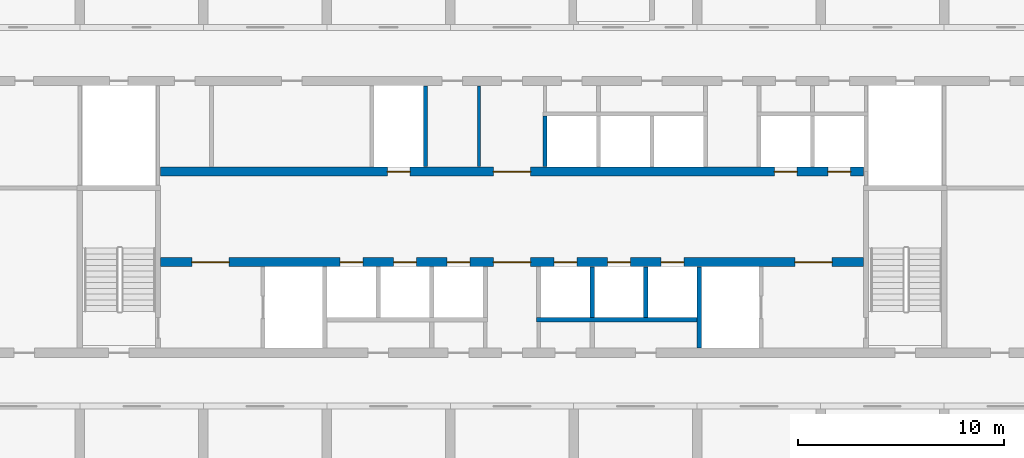
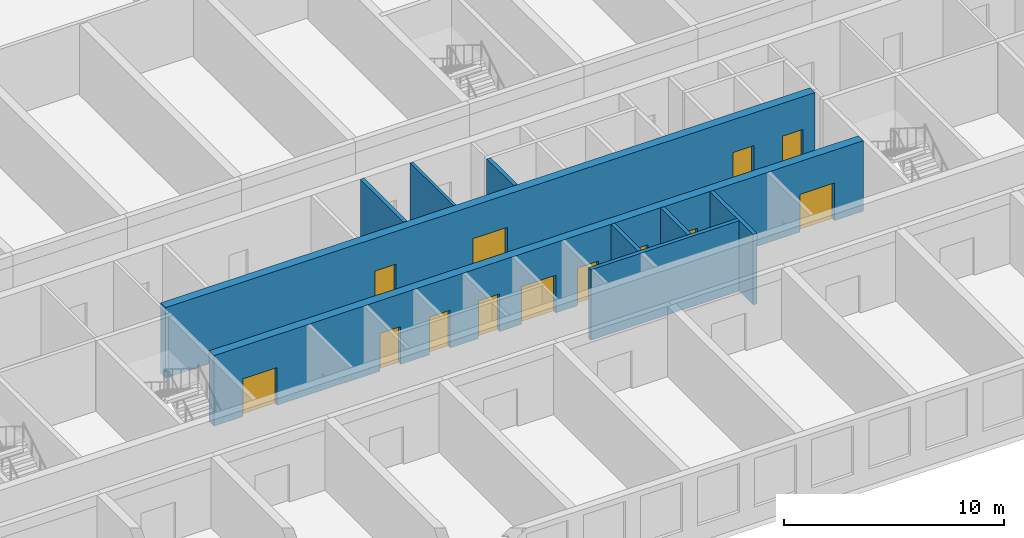
# One storey, part 6 of 16: 13 doors, 9 walls, 13 openings.
"""IFC4 building model written with IfcOpenShell, lengths in metres."""

from ifc_helpers import new_model, si_unit, direction, frame, frame_2d, origin, place, context, subcontext, project, spatial, rectangle, extrude, material, layer, layer_set, type_object, element, fill, save


model = new_model("IFC4")

# Units and contexts
model_context = context("Model", 3, precision=1e-05, world=origin(), true_north=direction((0.0, 1.0)))
body_context = subcontext(model_context, "Body", "Model", "MODEL_VIEW")
ifc_project = project(units=[si_unit("LENGTHUNIT", "METRE"), si_unit("AREAUNIT", "SQUARE_METRE"), si_unit("VOLUMEUNIT", "CUBIC_METRE"), si_unit("PLANEANGLEUNIT", "RADIAN"), si_unit("MASSUNIT", "GRAM", prefix="KILO")], contexts=[model_context])

# Site, building, storey
site_placement = place(None, origin())
site = spatial("IfcSite", under=ifc_project, at=site_placement, CompositionType="ELEMENT")
building_placement = place(site_placement, origin())
building = spatial("IfcBuilding", under=site, at=building_placement, Name="Poui Terraces", CompositionType="ELEMENT")
storey_placement = place(building_placement, frame((0.0, 0.0, 15.0)))
storey = spatial("IfcBuildingStorey", under=building, at=storey_placement, Name="L03", CompositionType="ELEMENT", Elevation=15.0)

# Wall, openings, doors
ifc_material_1 = material(Name="Concrete 80 MPa", Category="concrete")
ifc_layer_1 = layer(ifc_material_1, 0.449951171875)
ifc_layer_set_1 = layer_set([ifc_layer_1], Name="Concrete 80 MPa")
wall_type_1 = type_object("IfcWallType", Name="CORE WALL 450 80 MPA", PredefinedType="SOLIDWALL", material=ifc_layer_set_1)
wall_1_placement = place(storey_placement, frame((33.925048828125, 19.0, 0.0), z_axis=(0.0, 0.0, 1.0), x_axis=(1.0, 0.0, 0.0)))
wall_1 = element("IfcWall", 1, at=wall_1_placement, inside=storey, type_object=wall_type_1, Name="CORE WALL", PredefinedType="SOLIDWALL", context=body_context, shape_type="SweptSolid", body=[
    extrude(rectangle(XDim=34.14990234375, YDim=0.449951171875, at=frame_2d((17.074951171875, 0.0))), origin(), (0.0, 0.0, 1.0), 3.919921875),
])
opening_1_placement = place(wall_1_placement, frame((16.175048828125, 0.0, 0.0)))
opening_1 = element("IfcOpeningElement", 2, at=opening_1_placement, cuts=wall_1, Name="Opening FDD60", PredefinedType="OPENING", context=body_context, shape_type="SweptSolid", body=[
    extrude(rectangle(XDim=1.800048828125, YDim=2.10009765625, at=frame_2d((0.89990234375, 1.050048828125))), frame((0.0, 0.23486328125, 0.0), z_axis=(0.0, -1.0, 0.0), x_axis=(1.0, 0.0, 0.0)), (0.0, 0.0, 1.0), 0.469970703125),
])
opening_2_placement = place(wall_1_placement, frame((1.52490234375, 0.0, 0.0)))
opening_2 = element("IfcOpeningElement", 3, at=opening_2_placement, cuts=wall_1, Name="Opening FDD60", PredefinedType="OPENING", context=body_context, shape_type="SweptSolid", body=[
    extrude(rectangle(XDim=1.800048828125, YDim=2.10009765625, at=frame_2d((0.89990234375, 1.050048828125))), frame((0.0, 0.23486328125, 0.0), z_axis=(0.0, -1.0, 0.0), x_axis=(1.0, 0.0, 0.0)), (0.0, 0.0, 1.0), 0.469970703125),
])
opening_3_placement = place(wall_1_placement, frame((8.72509765625, 0.0, 0.0)))
opening_3 = element("IfcOpeningElement", 4, at=opening_3_placement, cuts=wall_1, Name="Opening LD", PredefinedType="OPENING", context=body_context, shape_type="SweptSolid", body=[
    extrude(rectangle(XDim=1.10009765625, YDim=2.10009765625, at=frame_2d((0.550048828125, 1.050048828125))), frame((0.0, 0.23486328125, 0.0), z_axis=(0.0, -1.0, 0.0), x_axis=(1.0, 0.0, 0.0)), (0.0, 0.0, 1.0), 0.469970703125),
])
opening_4_placement = place(wall_1_placement, frame((11.324951171875, 0.0, 0.0)))
opening_4 = element("IfcOpeningElement", 5, at=opening_4_placement, cuts=wall_1, Name="Opening LD", PredefinedType="OPENING", context=body_context, shape_type="SweptSolid", body=[
    extrude(rectangle(XDim=1.10009765625, YDim=2.10009765625, at=frame_2d((0.550048828125, 1.050048828125))), frame((0.0, 0.23486328125, 0.0), z_axis=(0.0, -1.0, 0.0), x_axis=(1.0, 0.0, 0.0)), (0.0, 0.0, 1.0), 0.469970703125),
])
opening_5_placement = place(wall_1_placement, frame((13.925048828125, 0.0, 0.0)))
opening_5 = element("IfcOpeningElement", 6, at=opening_5_placement, cuts=wall_1, Name="Opening LD", PredefinedType="OPENING", context=body_context, shape_type="SweptSolid", body=[
    extrude(rectangle(XDim=1.10009765625, YDim=2.10009765625, at=frame_2d((0.550048828125, 1.050048828125))), frame((0.0, 0.23486328125, 0.0), z_axis=(0.0, -1.0, 0.0), x_axis=(1.0, 0.0, 0.0)), (0.0, 0.0, 1.0), 0.469970703125),
])
opening_6_placement = place(wall_1_placement, frame((19.125, 0.0, 0.0)))
opening_6 = element("IfcOpeningElement", 7, at=opening_6_placement, cuts=wall_1, Name="Opening LD", PredefinedType="OPENING", context=body_context, shape_type="SweptSolid", body=[
    extrude(rectangle(XDim=1.10009765625, YDim=2.10009765625, at=frame_2d((0.550048828125, 1.050048828125))), frame((0.0, 0.23486328125, 0.0), z_axis=(0.0, -1.0, 0.0), x_axis=(1.0, 0.0, 0.0)), (0.0, 0.0, 1.0), 0.469970703125),
])
opening_7_placement = place(wall_1_placement, frame((21.72509765625, 0.0, 0.0)))
opening_7 = element("IfcOpeningElement", 8, at=opening_7_placement, cuts=wall_1, Name="Opening LD", PredefinedType="OPENING", context=body_context, shape_type="SweptSolid", body=[
    extrude(rectangle(XDim=1.10009765625, YDim=2.10009765625, at=frame_2d((0.550048828125, 1.050048828125))), frame((0.0, 0.23486328125, 0.0), z_axis=(0.0, -1.0, 0.0), x_axis=(1.0, 0.0, 0.0)), (0.0, 0.0, 1.0), 0.469970703125),
])
opening_8_placement = place(wall_1_placement, frame((24.324951171875, 0.0, 0.0)))
opening_8 = element("IfcOpeningElement", 9, at=opening_8_placement, cuts=wall_1, Name="Opening LD", PredefinedType="OPENING", context=body_context, shape_type="SweptSolid", body=[
    extrude(rectangle(XDim=1.10009765625, YDim=2.10009765625, at=frame_2d((0.550048828125, 1.050048828125))), frame((0.0, 0.23486328125, 0.0), z_axis=(0.0, -1.0, 0.0), x_axis=(1.0, 0.0, 0.0)), (0.0, 0.0, 1.0), 0.469970703125),
])
opening_9_placement = place(wall_1_placement, frame((30.824951171875, 0.0, 0.0)))
opening_9 = element("IfcOpeningElement", 10, at=opening_9_placement, cuts=wall_1, Name="Opening FDD60", PredefinedType="OPENING", context=body_context, shape_type="SweptSolid", body=[
    extrude(rectangle(XDim=1.800048828125, YDim=2.10009765625, at=frame_2d((0.89990234375, 1.050048828125))), frame((0.0, 0.23486328125, 0.0), z_axis=(0.0, -1.0, 0.0), x_axis=(1.0, 0.0, 0.0)), (0.0, 0.0, 1.0), 0.469970703125),
])
ifc_material_2 = material(Name="Steel fire door", Category="steel")
door_type_1 = type_object("IfcDoorType", Name="DOUBLE LOBBY FIRE DOOR 1800 X 2100", OperationType="DOUBLE_DOOR_SINGLE_SWING", PredefinedType="DOOR", material=ifc_material_2)
door_1_placement = place(opening_1_placement, frame((1.800048828125, 0.0, 0.0), z_axis=(0.0, 0.0, 1.0), x_axis=(-1.0, 0.0, 0.0)))
door_1 = element("IfcDoor", 11, at=door_1_placement, inside=storey, type_object=door_type_1, Name="DOUBLE LOBBY FIRE DOOR 090", OperationType="DOUBLE_DOOR_SINGLE_SWING", OverallHeight=2.10009765625, OverallWidth=1.800048828125, PredefinedType="DOOR", context=body_context, shape_type="SweptSolid", body=[
    extrude(rectangle(XDim=1.800048828125, YDim=2.10009765625, at=frame_2d((0.89990234375, 1.050048828125))), frame((0.0, 0.02490234375, 0.0), z_axis=(0.0, -1.0, 0.0), x_axis=(1.0, 0.0, 0.0)), (0.0, 0.0, 1.0), 0.050048828125),
])
fill(opening_1, door_1)
door_2_placement = place(opening_2_placement, origin())
door_2 = element("IfcDoor", 12, at=door_2_placement, inside=storey, type_object=door_type_1, Name="DOUBLE LOBBY FIRE DOOR 091", OperationType="DOUBLE_DOOR_SINGLE_SWING", OverallHeight=2.10009765625, OverallWidth=1.800048828125, PredefinedType="DOOR", context=body_context, shape_type="SweptSolid", body=[
    extrude(rectangle(XDim=1.800048828125, YDim=2.10009765625, at=frame_2d((0.89990234375, 1.050048828125))), frame((0.0, 0.02490234375, 0.0), z_axis=(0.0, -1.0, 0.0), x_axis=(1.0, 0.0, 0.0)), (0.0, 0.0, 1.0), 0.050048828125),
])
fill(opening_2, door_2)
door_3_placement = place(opening_9_placement, origin())
door_3 = element("IfcDoor", 13, at=door_3_placement, inside=storey, type_object=door_type_1, Name="DOUBLE LOBBY FIRE DOOR 100", OperationType="DOUBLE_DOOR_SINGLE_SWING", OverallHeight=2.10009765625, OverallWidth=1.800048828125, PredefinedType="DOOR", context=body_context, shape_type="SweptSolid", body=[
    extrude(rectangle(XDim=1.800048828125, YDim=2.10009765625, at=frame_2d((0.89990234375, 1.050048828125))), frame((0.0, 0.02490234375, 0.0), z_axis=(0.0, -1.0, 0.0), x_axis=(1.0, 0.0, 0.0)), (0.0, 0.0, 1.0), 0.050048828125),
])
fill(opening_9, door_3)
ifc_material_3 = material(Name="Stainless steel sliding door", Category="steel")
door_type_2 = type_object("IfcDoorType", Name="LIFT LANDING DOOR 1100 X 2100", OperationType="DOUBLE_DOOR_SLIDING", PredefinedType="DOOR", material=ifc_material_3)
door_4_placement = place(opening_3_placement, origin())
door_4 = element("IfcDoor", 14, at=door_4_placement, inside=storey, type_object=door_type_2, Name="LANDING DOOR", OperationType="DOUBLE_DOOR_SLIDING", OverallHeight=2.10009765625, OverallWidth=1.10009765625, PredefinedType="DOOR", context=body_context, shape_type="SweptSolid", body=[
    extrude(rectangle(XDim=1.10009765625, YDim=2.10009765625, at=frame_2d((0.550048828125, 1.050048828125))), frame((0.0, 0.02490234375, 0.0), z_axis=(0.0, -1.0, 0.0), x_axis=(1.0, 0.0, 0.0)), (0.0, 0.0, 1.0), 0.050048828125),
])
fill(opening_3, door_4)
door_5_placement = place(opening_4_placement, origin())
door_5 = element("IfcDoor", 15, at=door_5_placement, inside=storey, type_object=door_type_2, Name="LANDING DOOR", OperationType="DOUBLE_DOOR_SLIDING", OverallHeight=2.10009765625, OverallWidth=1.10009765625, PredefinedType="DOOR", context=body_context, shape_type="SweptSolid", body=[
    extrude(rectangle(XDim=1.10009765625, YDim=2.10009765625, at=frame_2d((0.550048828125, 1.050048828125))), frame((0.0, 0.02490234375, 0.0), z_axis=(0.0, -1.0, 0.0), x_axis=(1.0, 0.0, 0.0)), (0.0, 0.0, 1.0), 0.050048828125),
])
fill(opening_4, door_5)
door_6_placement = place(opening_5_placement, origin())
door_6 = element("IfcDoor", 16, at=door_6_placement, inside=storey, type_object=door_type_2, Name="LANDING DOOR", OperationType="DOUBLE_DOOR_SLIDING", OverallHeight=2.10009765625, OverallWidth=1.10009765625, PredefinedType="DOOR", context=body_context, shape_type="SweptSolid", body=[
    extrude(rectangle(XDim=1.10009765625, YDim=2.10009765625, at=frame_2d((0.550048828125, 1.050048828125))), frame((0.0, 0.02490234375, 0.0), z_axis=(0.0, -1.0, 0.0), x_axis=(1.0, 0.0, 0.0)), (0.0, 0.0, 1.0), 0.050048828125),
])
fill(opening_5, door_6)
door_7_placement = place(opening_6_placement, origin())
door_7 = element("IfcDoor", 17, at=door_7_placement, inside=storey, type_object=door_type_2, Name="LANDING DOOR", OperationType="DOUBLE_DOOR_SLIDING", OverallHeight=2.10009765625, OverallWidth=1.10009765625, PredefinedType="DOOR", context=body_context, shape_type="SweptSolid", body=[
    extrude(rectangle(XDim=1.10009765625, YDim=2.10009765625, at=frame_2d((0.550048828125, 1.050048828125))), frame((0.0, 0.02490234375, 0.0), z_axis=(0.0, -1.0, 0.0), x_axis=(1.0, 0.0, 0.0)), (0.0, 0.0, 1.0), 0.050048828125),
])
fill(opening_6, door_7)
door_8_placement = place(opening_7_placement, origin())
door_8 = element("IfcDoor", 18, at=door_8_placement, inside=storey, type_object=door_type_2, Name="LANDING DOOR", OperationType="DOUBLE_DOOR_SLIDING", OverallHeight=2.10009765625, OverallWidth=1.10009765625, PredefinedType="DOOR", context=body_context, shape_type="SweptSolid", body=[
    extrude(rectangle(XDim=1.10009765625, YDim=2.10009765625, at=frame_2d((0.550048828125, 1.050048828125))), frame((0.0, 0.02490234375, 0.0), z_axis=(0.0, -1.0, 0.0), x_axis=(1.0, 0.0, 0.0)), (0.0, 0.0, 1.0), 0.050048828125),
])
fill(opening_7, door_8)
door_9_placement = place(opening_8_placement, origin())
door_9 = element("IfcDoor", 19, at=door_9_placement, inside=storey, type_object=door_type_2, Name="LANDING DOOR", OperationType="DOUBLE_DOOR_SLIDING", OverallHeight=2.10009765625, OverallWidth=1.10009765625, PredefinedType="DOOR", context=body_context, shape_type="SweptSolid", body=[
    extrude(rectangle(XDim=1.10009765625, YDim=2.10009765625, at=frame_2d((0.550048828125, 1.050048828125))), frame((0.0, 0.02490234375, 0.0), z_axis=(0.0, -1.0, 0.0), x_axis=(1.0, 0.0, 0.0)), (0.0, 0.0, 1.0), 0.050048828125),
])
fill(opening_8, door_9)

wall_2_placement = place(storey_placement, frame((33.925048828125, 23.39990234375, 0.0), z_axis=(0.0, 0.0, 1.0), x_axis=(1.0, 0.0, 0.0)))
wall_2 = element("IfcWall", 20, at=wall_2_placement, inside=storey, type_object=wall_type_1, Name="CORE WALL", PredefinedType="SOLIDWALL", context=body_context, shape_type="SweptSolid", body=[
    extrude(rectangle(XDim=34.14990234375, YDim=0.449951171875, at=frame_2d((17.074951171875, 0.0))), origin(), (0.0, 0.0, 1.0), 3.919921875),
])
opening_10_placement = place(wall_2_placement, frame((16.175048828125, 0.0, 0.0)))
opening_10 = element("IfcOpeningElement", 21, at=opening_10_placement, cuts=wall_2, Name="Opening FDD60", PredefinedType="OPENING", context=body_context, shape_type="SweptSolid", body=[
    extrude(rectangle(XDim=1.800048828125, YDim=2.10009765625, at=frame_2d((0.89990234375, 1.050048828125))), frame((0.0, 0.23486328125, 0.0), z_axis=(0.0, -1.0, 0.0), x_axis=(1.0, 0.0, 0.0)), (0.0, 0.0, 1.0), 0.469970703125),
])
opening_11_placement = place(wall_2_placement, frame((11.02490234375, 0.0, 0.0)))
opening_11 = element("IfcOpeningElement", 22, at=opening_11_placement, cuts=wall_2, Name="Opening LD", PredefinedType="OPENING", context=body_context, shape_type="SweptSolid", body=[
    extrude(rectangle(XDim=1.10009765625, YDim=2.10009765625, at=frame_2d((0.550048828125, 1.050048828125))), frame((0.0, 0.23486328125, 0.0), z_axis=(0.0, -1.0, 0.0), x_axis=(1.0, 0.0, 0.0)), (0.0, 0.0, 1.0), 0.469970703125),
])
opening_12_placement = place(wall_2_placement, frame((29.824951171875, 0.0, 0.0)))
opening_12 = element("IfcOpeningElement", 23, at=opening_12_placement, cuts=wall_2, Name="Opening LD", PredefinedType="OPENING", context=body_context, shape_type="SweptSolid", body=[
    extrude(rectangle(XDim=1.10009765625, YDim=2.10009765625, at=frame_2d((0.550048828125, 1.050048828125))), frame((0.0, 0.23486328125, 0.0), z_axis=(0.0, -1.0, 0.0), x_axis=(1.0, 0.0, 0.0)), (0.0, 0.0, 1.0), 0.469970703125),
])
opening_13_placement = place(wall_2_placement, frame((32.425048828125, 0.0, 0.0)))
opening_13 = element("IfcOpeningElement", 24, at=opening_13_placement, cuts=wall_2, Name="Opening LD", PredefinedType="OPENING", context=body_context, shape_type="SweptSolid", body=[
    extrude(rectangle(XDim=1.10009765625, YDim=2.10009765625, at=frame_2d((0.550048828125, 1.050048828125))), frame((0.0, 0.23486328125, 0.0), z_axis=(0.0, -1.0, 0.0), x_axis=(1.0, 0.0, 0.0)), (0.0, 0.0, 1.0), 0.469970703125),
])
door_10_placement = place(opening_10_placement, origin())
door_10 = element("IfcDoor", 25, at=door_10_placement, inside=storey, type_object=door_type_1, Name="DOUBLE LOBBY FIRE DOOR 089", OperationType="DOUBLE_DOOR_SINGLE_SWING", OverallHeight=2.10009765625, OverallWidth=1.800048828125, PredefinedType="DOOR", context=body_context, shape_type="SweptSolid", body=[
    extrude(rectangle(XDim=1.800048828125, YDim=2.10009765625, at=frame_2d((0.89990234375, 1.050048828125))), frame((0.0, 0.02490234375, 0.0), z_axis=(0.0, -1.0, 0.0), x_axis=(1.0, 0.0, 0.0)), (0.0, 0.0, 1.0), 0.050048828125),
])
fill(opening_10, door_10)
door_11_placement = place(opening_11_placement, origin())
door_11 = element("IfcDoor", 26, at=door_11_placement, inside=storey, type_object=door_type_2, Name="LANDING DOOR", OperationType="DOUBLE_DOOR_SLIDING", OverallHeight=2.10009765625, OverallWidth=1.10009765625, PredefinedType="DOOR", context=body_context, shape_type="SweptSolid", body=[
    extrude(rectangle(XDim=1.10009765625, YDim=2.10009765625, at=frame_2d((0.550048828125, 1.050048828125))), frame((0.0, 0.02490234375, 0.0), z_axis=(0.0, -1.0, 0.0), x_axis=(1.0, 0.0, 0.0)), (0.0, 0.0, 1.0), 0.050048828125),
])
fill(opening_11, door_11)
door_12_placement = place(opening_12_placement, origin())
door_12 = element("IfcDoor", 27, at=door_12_placement, inside=storey, type_object=door_type_2, Name="LANDING DOOR", OperationType="DOUBLE_DOOR_SLIDING", OverallHeight=2.10009765625, OverallWidth=1.10009765625, PredefinedType="DOOR", context=body_context, shape_type="SweptSolid", body=[
    extrude(rectangle(XDim=1.10009765625, YDim=2.10009765625, at=frame_2d((0.550048828125, 1.050048828125))), frame((0.0, 0.02490234375, 0.0), z_axis=(0.0, -1.0, 0.0), x_axis=(1.0, 0.0, 0.0)), (0.0, 0.0, 1.0), 0.050048828125),
])
fill(opening_12, door_12)
door_13_placement = place(opening_13_placement, origin())
door_13 = element("IfcDoor", 28, at=door_13_placement, inside=storey, type_object=door_type_2, Name="LANDING DOOR", OperationType="DOUBLE_DOOR_SLIDING", OverallHeight=2.10009765625, OverallWidth=1.10009765625, PredefinedType="DOOR", context=body_context, shape_type="SweptSolid", body=[
    extrude(rectangle(XDim=1.10009765625, YDim=2.10009765625, at=frame_2d((0.550048828125, 1.050048828125))), frame((0.0, 0.02490234375, 0.0), z_axis=(0.0, -1.0, 0.0), x_axis=(1.0, 0.0, 0.0)), (0.0, 0.0, 1.0), 0.050048828125),
])
fill(opening_13, door_13)

# Walls
ifc_material_4 = material(Name="Fire-rated plasterboard wall")
ifc_layer_2 = layer(ifc_material_4, 0.14990234375)
ifc_layer_set_2 = layer_set([ifc_layer_2], Name="Fire-rated plasterboard wall")
wall_type_2 = type_object("IfcWallType", Name="CORRIDOR WALL 150", PredefinedType="PARTITIONING", material=ifc_layer_set_2)
wall_3_placement = place(storey_placement, frame((49.39990234375, 23.635009765625, 0.0), z_axis=(0.0, 0.0, 1.0), x_axis=(0.0, 1.0, 0.0)))
element("IfcWall", 29, at=wall_3_placement, inside=storey, type_object=wall_type_2, Name="CORRIDOR WALL 150", PredefinedType="PARTITIONING", context=body_context, shape_type="SweptSolid", body=[
    extrude(rectangle(XDim=3.929931640625, YDim=0.14990234375, at=frame_2d((1.96484375, 0.0))), origin(), (0.0, 0.0, 1.0), 3.919921875),
])
ifc_material_5 = material(Name="Fire-rated masonry shaft wall", Category="masonry")
ifc_layer_3 = layer(ifc_material_5, 0.199951171875)
ifc_layer_set_3 = layer_set([ifc_layer_3], Name="Fire-rated masonry shaft wall")
wall_type_3 = type_object("IfcWallType", Name="SHAFT WALL 200", PredefinedType="PARTITIONING", material=ifc_layer_set_3)
wall_4_placement = place(storey_placement, frame((52.199951171875, 16.199951171875, 0.0), z_axis=(0.0, 0.0, 1.0), x_axis=(1.0, 0.0, 0.0)))
element("IfcWall", 30, at=wall_4_placement, inside=storey, type_object=wall_type_3, Name="SHAFT WALL 200", PredefinedType="PARTITIONING", context=body_context, shape_type="SweptSolid", body=[
    extrude(rectangle(XDim=7.800048828125, YDim=0.199951171875, at=frame_2d((3.89990234375, 0.0))), origin(), (0.0, 0.0, 1.0), 3.919921875),
])
wall_5_placement = place(storey_placement, frame((46.800048828125, 23.635009765625, 0.0), z_axis=(0.0, 0.0, 1.0), x_axis=(0.0, 1.0, 0.0)))
element("IfcWall", 31, at=wall_5_placement, inside=storey, type_object=wall_type_3, Name="SHAFT WALL 200", PredefinedType="PARTITIONING", context=body_context, shape_type="SweptSolid", body=[
    extrude(rectangle(XDim=3.929931640625, YDim=0.199951171875, at=frame_2d((1.96484375, 0.0))), origin(), (0.0, 0.0, 1.0), 3.919921875),
])
wall_6_placement = place(storey_placement, frame((52.60009765625, 23.635009765625, 0.0), z_axis=(0.0, 0.0, 1.0), x_axis=(0.0, 1.0, 0.0)))
element("IfcWall", 32, at=wall_6_placement, inside=storey, type_object=wall_type_3, Name="SHAFT WALL 200", PredefinedType="PARTITIONING", context=body_context, shape_type="SweptSolid", body=[
    extrude(rectangle(XDim=2.465087890625, YDim=0.199951171875, at=frame_2d((1.232421875, 0.0))), origin(), (0.0, 0.0, 1.0), 3.919921875),
])
for number, where, z_axis, x_axis, name in (
    (33, (54.89990234375, 16.300048828125, 0.0), (0.0, 0.0, 1.0), (0.0, 1.0, 0.0), "SHAFT WALL 200"),
    (34, (57.5, 16.300048828125, 0.0), (0.0, 0.0, 1.0), (0.0, 1.0, 0.0), "SHAFT WALL 200"),
):
    element("IfcWall", number, at=place(storey_placement, frame(where, z_axis=z_axis, x_axis=x_axis)), inside=storey, type_object=wall_type_3, Name=name, PredefinedType="PARTITIONING", context=body_context, shape_type="SweptSolid", body=[
        extrude(rectangle(XDim=2.46484375, YDim=0.199951171875, at=frame_2d((1.232421875, 0.0))), origin(), (0.0, 0.0, 1.0), 3.919921875),
    ])
wall_7_placement = place(storey_placement, frame((60.10009765625, 14.8349609375, 0.0), z_axis=(0.0, 0.0, 1.0), x_axis=(0.0, 1.0, 0.0)))
element("IfcWall", 35, at=wall_7_placement, inside=storey, type_object=wall_type_3, Name="SHAFT WALL 200", PredefinedType="PARTITIONING", context=body_context, shape_type="SweptSolid", body=[
    extrude(rectangle(XDim=3.929931640625, YDim=0.199951171875, at=frame_2d((1.96484375, 0.0))), origin(), (0.0, 0.0, 1.0), 3.919921875),
])

save(model, "model.ifc")
